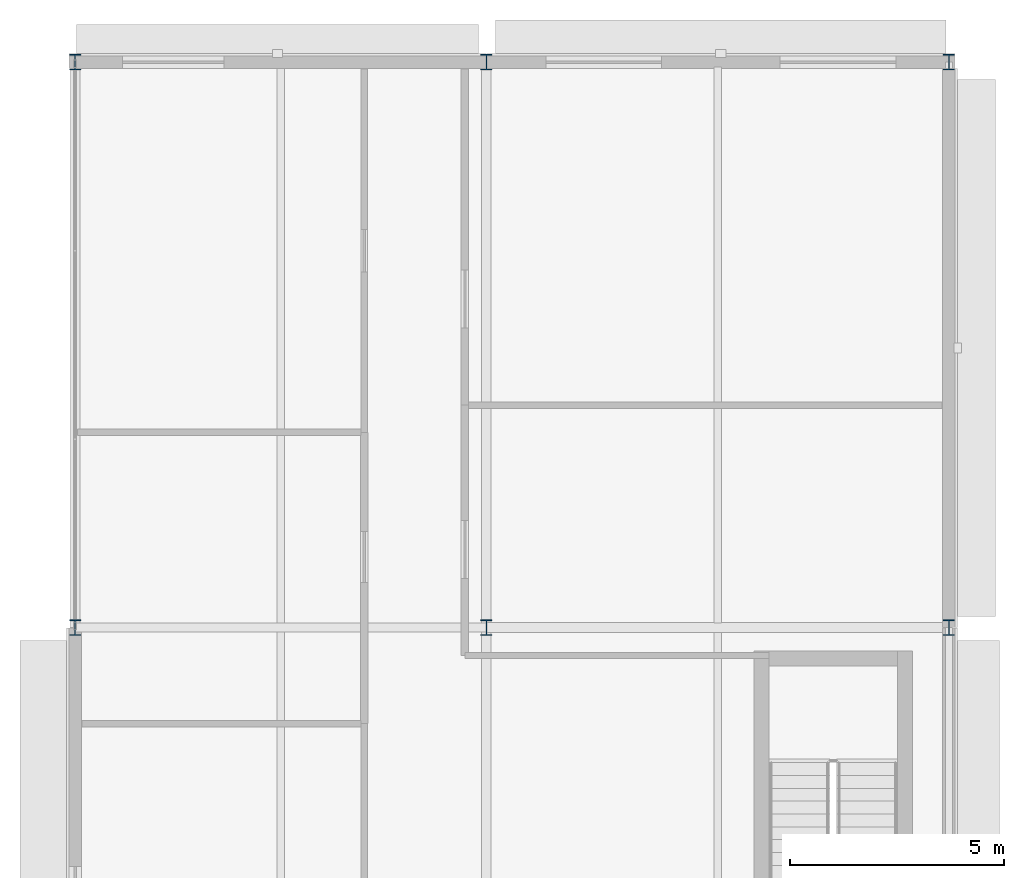
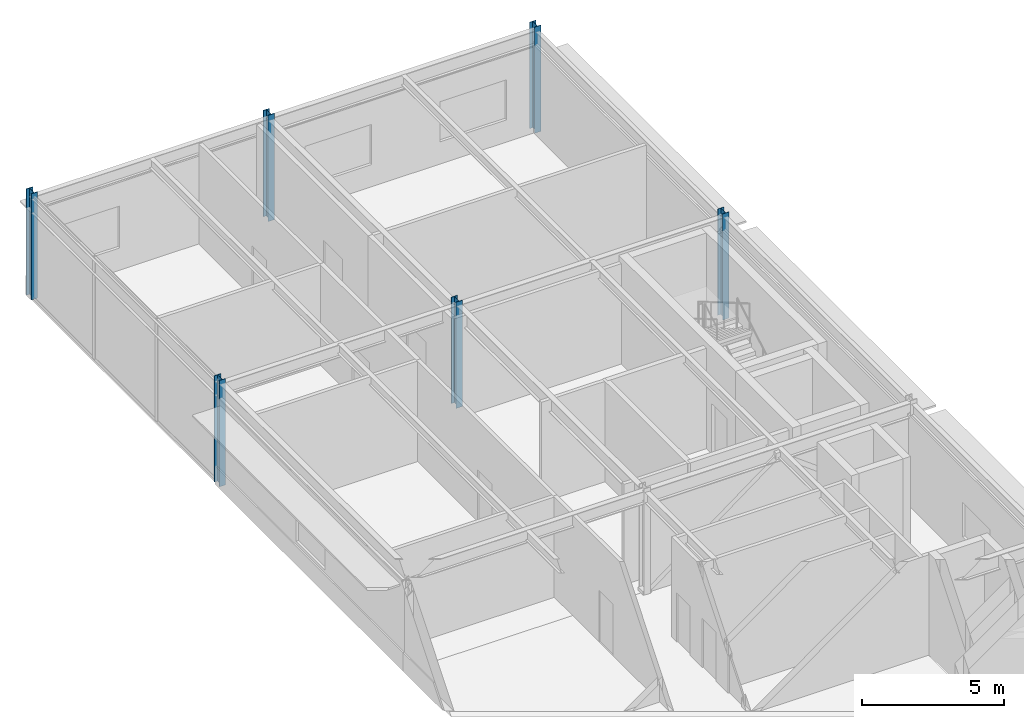
# One storey, part 2 of 17: 6 columns.
"""IFC4 building model written with IfcOpenShell, lengths in metres."""

from ifc_helpers import new_model, si_unit, direction, frame, origin, origin_2d, place, context, subcontext, project, spatial, i_section, extrude, material, material_profile, profile_set, type_object, element, save


model = new_model("IFC4")

# Units and contexts
model_context = context("Model", 3, precision=1e-05, world=origin(), true_north=direction((0.0, 1.0)))
body_context = subcontext(model_context, "Body", "Model", "MODEL_VIEW")
ifc_project = project(units=[si_unit("LENGTHUNIT", "METRE"), si_unit("AREAUNIT", "SQUARE_METRE"), si_unit("VOLUMEUNIT", "CUBIC_METRE"), si_unit("PLANEANGLEUNIT", "RADIAN"), si_unit("MASSUNIT", "GRAM", prefix="KILO")], contexts=[model_context])

# Site, building, storey
site_placement = place(None, origin())
site = spatial("IfcSite", under=ifc_project, at=site_placement, CompositionType="ELEMENT")
building_placement = place(site_placement, origin())
building = spatial("IfcBuilding", under=site, at=building_placement, Name="Almandine Court Research Institute", CompositionType="ELEMENT")
storey_placement = place(building_placement, frame((0.0, 0.0, 32.550048828125)))
storey = spatial("IfcBuildingStorey", under=building, at=storey_placement, Name="L07", CompositionType="ELEMENT", Elevation=32.550048828125)

# Columns
ifc_material = material(Name="Steel ASTM A992 Grade 50", Category="steel")
ifc_material_profile_1 = material_profile(ifc_material, i_section(OverallWidth=0.257080078125, OverallDepth=0.363037109375, WebThickness=0.012939453125, FlangeThickness=0.02197265625, at=origin_2d()), Name="W360x122")
ifc_profile_set_1 = profile_set([ifc_material_profile_1], Name="Steel ASTM A992 Grade 50")
column_type_1 = type_object("IfcColumnType", Name="Col-C-W05", PredefinedType="COLUMN", material=ifc_profile_set_1)
for number, where, z_axis, x_axis, name in (
    (1, (153.60009765625, 57.60009765625, 0.0), (0.0, 0.0, 1.0), (1.0, 0.0, 0.0), "L07 V4 Column V4-X2Y6"),
    (2, (153.60009765625, 70.800048828125, 0.0), (0.0, 0.0, 1.0), (1.0, 0.0, 0.0), "L07 V4 Column V4-X2Y7"),
    (3, (163.199951171875, 57.60009765625, 0.0), (0.0, 0.0, 1.0), (1.0, 0.0, 0.0), "L07 V4 Column V4-X3Y6"),
    (4, (163.199951171875, 70.800048828125, 0.0), (0.0, 0.0, 1.0), (1.0, 0.0, 0.0), "L07 V4 Column V4-X3Y7"),
):
    element("IfcColumn", number, at=place(storey_placement, frame(where, z_axis=z_axis, x_axis=x_axis)), inside=storey, type_object=column_type_1, Name=name, PredefinedType="COLUMN", context=body_context, shape_type="SweptSolid", body=[
        extrude(i_section(OverallWidth=0.257080078125, OverallDepth=0.363037109375, WebThickness=0.012939453125, FlangeThickness=0.02197265625, at=origin_2d()), origin(), (0.0, 0.0, 1.0), 4.550048828125),
    ])
ifc_material_profile_2 = material_profile(ifc_material, i_section(OverallWidth=0.257080078125, OverallDepth=0.363037109375, WebThickness=0.012939453125, FlangeThickness=0.02197265625, at=origin_2d()), Name="W360x122")
ifc_profile_set_2 = profile_set([ifc_material_profile_2], Name="Steel ASTM A992 Grade 50")
column_type_2 = type_object("IfcColumnType", Name="Col-C-W05-E", PredefinedType="COLUMN", material=ifc_profile_set_2)
for number, where, z_axis, x_axis, name in (
    (5, (174.0, 57.60009765625, 0.0), (0.0, 0.0, 1.0), (1.0, 0.0, 0.0), "L07 V4 Column V4-X4Y6"),
    (6, (174.0, 70.800048828125, 0.0), (0.0, 0.0, 1.0), (1.0, 0.0, 0.0), "L07 V4 Column V4-X4Y7"),
):
    element("IfcColumn", number, at=place(storey_placement, frame(where, z_axis=z_axis, x_axis=x_axis)), inside=storey, type_object=column_type_2, Name=name, PredefinedType="COLUMN", context=body_context, shape_type="SweptSolid", body=[
        extrude(i_section(OverallWidth=0.257080078125, OverallDepth=0.363037109375, WebThickness=0.012939453125, FlangeThickness=0.02197265625, at=origin_2d()), origin(), (0.0, 0.0, 1.0), 4.550048828125),
    ])

save(model, "model.ifc")
